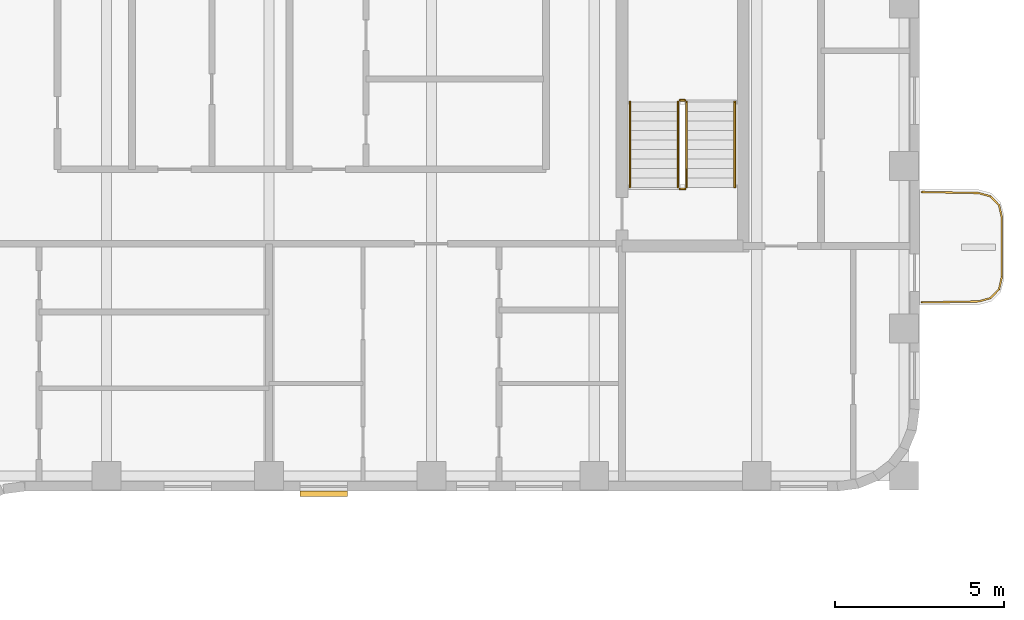
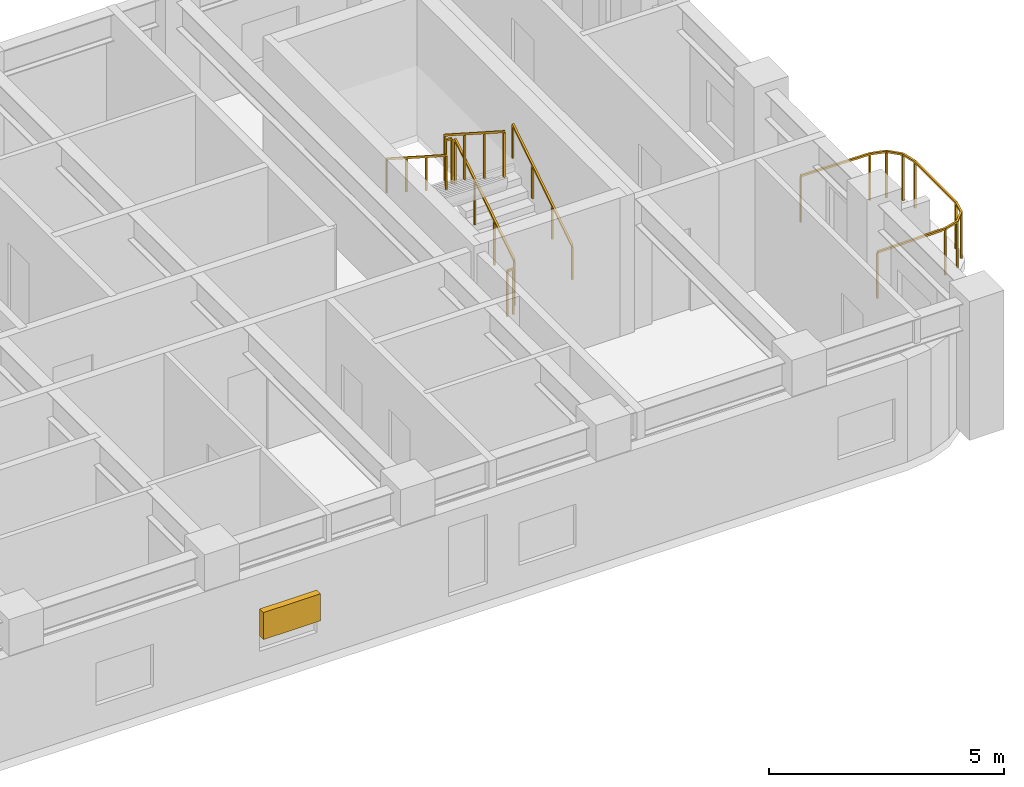
# One storey, part 9 of 10: 7 railings, 1 shading device.
"""IFC4 building model written with IfcOpenShell, lengths in metres."""

from ifc_helpers import new_model, si_unit, direction, frame, origin, origin_2d, place, context, subcontext, project, spatial, rectangle, extrude, material, type_object, element, save


model = new_model("IFC4")

# Units and contexts
model_context = context("Model", 3, precision=1e-05, world=origin(), true_north=direction((0.0, 1.0)))
body_context = subcontext(model_context, "Body", "Model", "MODEL_VIEW")
ifc_project = project(units=[si_unit("LENGTHUNIT", "METRE"), si_unit("AREAUNIT", "SQUARE_METRE"), si_unit("VOLUMEUNIT", "CUBIC_METRE"), si_unit("PLANEANGLEUNIT", "RADIAN"), si_unit("MASSUNIT", "GRAM", prefix="KILO")], contexts=[model_context])

# Site, building, storey
site_placement = place(None, origin())
site = spatial("IfcSite", under=ifc_project, at=site_placement, CompositionType="ELEMENT")
building_placement = place(site_placement, origin())
building = spatial("IfcBuilding", under=site, at=building_placement, Name="Orvandelia Arch Residences", CompositionType="ELEMENT")
storey_placement = place(building_placement, frame((0.0, 0.0, 225.39990234375)))
storey = spatial("IfcBuildingStorey", under=building, at=storey_placement, Name="L59", CompositionType="ELEMENT", Elevation=225.39990234375)

# Railings
ifc_material_1 = material(Name="Marine-Grade Stainless Steel 316", Category="steel")
railing_type_1 = type_object("IfcRailingType", Name="GRD-BAL-1200", PredefinedType="BALUSTRADE", material=ifc_material_1)
railing_1_placement = place(storey_placement, frame((52.871826171875, 34.36962890625, 0.0)))
element("IfcRailing", 1, at=railing_1_placement, inside=storey, type_object=railing_type_1, Name="Safety Balustrade Guard GRD-L59-BAL-L59-E1-1", PredefinedType="BALUSTRADE", context=body_context, shape_type="SweptSolid", body=[
    extrude(rectangle(XDim=0.048095703125, YDim=0.048095703125, at=origin_2d()), frame((0.0, 0.0, 1.19580078125), z_axis=(0.999837384468, 0.018033430643, 0.0), x_axis=(-0.018033430643, 0.999837384468, 0.0)), (0.0, 0.0, 1.0), 1.6787109375),
    extrude(rectangle(XDim=0.048095703125, YDim=0.048095703125, at=origin_2d()), frame((1.678466796875, 0.0302734375, 1.19580078125), z_axis=(0.96348920644, 0.267747173792, 0.0), x_axis=(-0.267747173792, 0.96348920644, 0.0)), (0.0, 0.0, 1.0), 0.36572265625),
    extrude(rectangle(XDim=0.048095703125, YDim=0.048095703125, at=origin_2d()), frame((2.03076171875, 0.128173828125, 1.19580078125), z_axis=(0.687947031175, 0.725760898848, 0.0), x_axis=(-0.725760898848, 0.687947031175, 0.0)), (0.0, 0.0, 1.0), 0.367919921875),
    extrude(rectangle(XDim=0.048095703125, YDim=0.048095703125, at=origin_2d()), frame((2.283935546875, 0.395263671875, 1.19580078125), z_axis=(0.221225034864, 0.975222786828, 0.0), x_axis=(-0.975222786828, 0.221225034864, 0.0)), (0.0, 0.0, 1.0), 0.373046875),
    extrude(rectangle(XDim=0.048095703125, YDim=0.048095703125, at=origin_2d()), frame((2.366455078125, 0.759033203125, 1.19580078125), z_axis=(0.0, 1.0, 0.0), x_axis=(-1.0, 0.0, 0.0)), (0.0, 0.0, 1.0), 1.74267578125),
    extrude(rectangle(XDim=0.048095703125, YDim=0.048095703125, at=origin_2d()), frame((2.366455078125, 2.501708984375, 1.19580078125), z_axis=(-0.221225034864, 0.975222786828, 0.0), x_axis=(-0.975222786828, -0.221225034864, 0.0)), (0.0, 0.0, 1.0), 0.373046875),
    extrude(rectangle(XDim=0.048095703125, YDim=0.048095703125, at=origin_2d()), frame((2.283935546875, 2.865478515625, 1.19580078125), z_axis=(-0.687947031175, 0.725760898848, 0.0), x_axis=(-0.725760898848, -0.687947031175, 0.0)), (0.0, 0.0, 1.0), 0.367919921875),
    extrude(rectangle(XDim=0.048095703125, YDim=0.048095703125, at=origin_2d()), frame((2.03076171875, 3.132568359375, 1.19580078125), z_axis=(-0.96348920644, 0.267747173792, 0.0), x_axis=(-0.267747173792, -0.96348920644, 0.0)), (0.0, 0.0, 1.0), 0.36572265625),
    extrude(rectangle(XDim=0.048095703125, YDim=0.048095703125, at=origin_2d()), frame((1.678466796875, 3.23046875, 1.19580078125), z_axis=(-0.999837384468, 0.018033430643, 0.0), x_axis=(-0.018033430643, -0.999837384468, 0.0)), (0.0, 0.0, 1.0), 1.6787109375),
    extrude(rectangle(XDim=0.0419921875, YDim=0.0419921875, at=origin_2d()), origin(), (0.0, 0.0, 1.0), 1.171875),
    extrude(rectangle(XDim=0.0419921875, YDim=0.0419921875, at=origin_2d()), frame((1.678466796875, 0.0302734375, 0.0)), (0.0, 0.0, 1.0), 1.171875),
    extrude(rectangle(XDim=0.0419921875, YDim=0.0419921875, at=origin_2d()), frame((2.03076171875, 0.128173828125, 0.0)), (0.0, 0.0, 1.0), 1.171875),
    extrude(rectangle(XDim=0.0419921875, YDim=0.0419921875, at=origin_2d()), frame((2.283935546875, 0.395263671875, 0.0)), (0.0, 0.0, 1.0), 1.171875),
    extrude(rectangle(XDim=0.0419921875, YDim=0.0419921875, at=origin_2d()), frame((2.366455078125, 0.759033203125, 0.0)), (0.0, 0.0, 1.0), 1.171875),
    extrude(rectangle(XDim=0.0419921875, YDim=0.0419921875, at=origin_2d()), frame((2.366455078125, 2.501708984375, 0.0)), (0.0, 0.0, 1.0), 1.171875),
    extrude(rectangle(XDim=0.0419921875, YDim=0.0419921875, at=origin_2d()), frame((2.283935546875, 2.865478515625, 0.0)), (0.0, 0.0, 1.0), 1.171875),
    extrude(rectangle(XDim=0.0419921875, YDim=0.0419921875, at=origin_2d()), frame((2.03076171875, 3.132568359375, 0.0)), (0.0, 0.0, 1.0), 1.171875),
    extrude(rectangle(XDim=0.0419921875, YDim=0.0419921875, at=origin_2d()), frame((1.678466796875, 3.23046875, 0.0)), (0.0, 0.0, 1.0), 1.171875),
    extrude(rectangle(XDim=0.0419921875, YDim=0.0419921875, at=origin_2d()), frame((0.0, 3.2607421875, 0.0)), (0.0, 0.0, 1.0), 1.171875),
])
ifc_material_2 = material(Name="Brushed Stainless Steel 304", Category="steel")
railing_type_2 = type_object("IfcRailingType", Name="RL-STAIR-GD1120", PredefinedType="GUARDRAIL", material=ifc_material_2)
railing_2_placement = place(storey_placement, frame((45.929931640625, 37.77001953125, 0.18017578125)))
element("IfcRailing", 2, at=railing_2_placement, inside=storey, type_object=railing_type_2, Name="L59 ST-3 stair guard 1", PredefinedType="GUARDRAIL", context=body_context, shape_type="SweptSolid", body=[
    extrude(rectangle(XDim=0.048095703125, YDim=0.048095703125, at=origin_2d()), frame((0.0, 0.0, 1.17578125), z_axis=(0.0, 0.841199657755, 0.540724639528), x_axis=(-1.0, 0.0, 0.0)), (0.0, 0.0, 1.0), 2.995849609375),
    extrude(rectangle(XDim=0.0419921875, YDim=0.0419921875, at=origin_2d()), origin(), (0.0, 0.0, 1.0), 1.15185546875),
    extrude(rectangle(XDim=0.0419921875, YDim=0.0419921875, at=origin_2d()), frame((0.0, 0.840087890625, 0.5400390625)), (0.0, 0.0, 1.0), 1.15185546875),
    extrude(rectangle(XDim=0.0419921875, YDim=0.0419921875, at=origin_2d()), frame((0.0, 1.679931640625, 1.079833984375)), (0.0, 0.0, 1.0), 1.15185546875),
    extrude(rectangle(XDim=0.0419921875, YDim=0.0419921875, at=origin_2d()), frame((0.0, 2.52001953125, 1.619873046875)), (0.0, 0.0, 1.0), 1.15185546875),
])
railing_3_placement = place(storey_placement, frame((45.8798828125, 40.340087890625, 1.800048828125)))
element("IfcRailing", 3, at=railing_3_placement, inside=storey, type_object=railing_type_2, Name="L59 ST-3 stair guard 2", PredefinedType="GUARDRAIL", context=body_context, shape_type="SweptSolid", body=[
    extrude(rectangle(XDim=0.048095703125, YDim=0.048095703125, at=origin_2d()), frame((0.0, 0.0, 1.17578125), z_axis=(-1.0, 0.0, 0.0), x_axis=(0.0, -1.0, 0.0)), (0.0, 0.0, 1.0), 0.14990234375),
    extrude(rectangle(XDim=0.0419921875, YDim=0.0419921875, at=origin_2d()), origin(), (0.0, 0.0, 1.0), 1.15185546875),
    extrude(rectangle(XDim=0.0419921875, YDim=0.0419921875, at=origin_2d()), frame((-0.14990234375, 0.0, 0.0)), (0.0, 0.0, 1.0), 1.15185546875),
])
railing_4_placement = place(storey_placement, frame((45.679931640625, 40.2900390625, 1.97998046875)))
element("IfcRailing", 4, at=railing_4_placement, inside=storey, type_object=railing_type_2, Name="L59 ST-3 stair guard 3", PredefinedType="GUARDRAIL", context=body_context, shape_type="SweptSolid", body=[
    extrude(rectangle(XDim=0.048095703125, YDim=0.048095703125, at=origin_2d()), frame((0.0, 0.0, 1.17578125), z_axis=(0.0, -0.841162588446, 0.540782303519), x_axis=(1.0, 0.0, 0.0)), (0.0, 0.0, 1.0), 2.995849609375),
    extrude(rectangle(XDim=0.0419921875, YDim=0.0419921875, at=origin_2d()), origin(), (0.0, 0.0, 1.0), 1.15185546875),
    extrude(rectangle(XDim=0.0419921875, YDim=0.0419921875, at=origin_2d()), frame((0.0, -0.840087890625, 0.5400390625)), (0.0, 0.0, 1.0), 1.15185546875),
    extrude(rectangle(XDim=0.0419921875, YDim=0.0419921875, at=origin_2d()), frame((0.0, -1.679931640625, 1.080078125)), (0.0, 0.0, 1.0), 1.15185546875),
    extrude(rectangle(XDim=0.0419921875, YDim=0.0419921875, at=origin_2d()), frame((0.0, -2.52001953125, 1.6201171875)), (0.0, 0.0, 1.0), 1.15185546875),
])
railing_5_placement = place(storey_placement, frame((45.8798828125, 37.719970703125, 0.0)))
element("IfcRailing", 5, at=railing_5_placement, inside=storey, type_object=railing_type_2, Name="L59 ST-3 stair guard 4", PredefinedType="GUARDRAIL", context=body_context, shape_type="SweptSolid", body=[
    extrude(rectangle(XDim=0.048095703125, YDim=0.048095703125, at=origin_2d()), frame((0.0, 0.0, 1.17578125), z_axis=(-1.0, 0.0, 0.0), x_axis=(0.0, -1.0, 0.0)), (0.0, 0.0, 1.0), 0.14990234375),
    extrude(rectangle(XDim=0.0419921875, YDim=0.0419921875, at=origin_2d()), origin(), (0.0, 0.0, 1.0), 1.15185546875),
    extrude(rectangle(XDim=0.0419921875, YDim=0.0419921875, at=origin_2d()), frame((-0.14990234375, 0.0, 0.0)), (0.0, 0.0, 1.0), 1.15185546875),
])
railing_type_3 = type_object("IfcRailingType", Name="RL-STAIR-HR920", PredefinedType="HANDRAIL", material=ifc_material_2)
railing_6_placement = place(storey_placement, frame((47.35009765625, 37.77001953125, 0.360107421875)))
element("IfcRailing", 6, at=railing_6_placement, inside=storey, type_object=railing_type_3, Name="L59 ST-3 stair handrail 1", PredefinedType="HANDRAIL", context=body_context, shape_type="SweptSolid", body=[
    extrude(rectangle(XDim=0.048095703125, YDim=0.048095703125, at=origin_2d()), frame((0.0, 0.0, 0.8759765625), z_axis=(0.0, 0.841199657755, 0.540724639528), x_axis=(-1.0, 0.0, 0.0)), (0.0, 0.0, 1.0), 2.995849609375),
    extrude(rectangle(XDim=0.0419921875, YDim=0.0419921875, at=origin_2d()), origin(), (0.0, 0.0, 1.0), 0.851806640625),
    extrude(rectangle(XDim=0.0419921875, YDim=0.0419921875, at=origin_2d()), frame((0.0, 0.840087890625, 0.5400390625)), (0.0, 0.0, 1.0), 0.851806640625),
    extrude(rectangle(XDim=0.0419921875, YDim=0.0419921875, at=origin_2d()), frame((0.0, 1.679931640625, 1.079833984375)), (0.0, 0.0, 1.0), 0.851806640625),
    extrude(rectangle(XDim=0.0419921875, YDim=0.0419921875, at=origin_2d()), frame((0.0, 2.52001953125, 1.619873046875)), (0.0, 0.0, 1.0), 0.851806640625),
])
railing_7_placement = place(storey_placement, frame((44.260009765625, 40.2900390625, 2.16015625)))
element("IfcRailing", 7, at=railing_7_placement, inside=storey, type_object=railing_type_3, Name="L59 ST-3 stair handrail 2", PredefinedType="HANDRAIL", context=body_context, shape_type="SweptSolid", body=[
    extrude(rectangle(XDim=0.048095703125, YDim=0.048095703125, at=origin_2d()), frame((0.0, 0.0, 0.8759765625), z_axis=(0.0, -0.841199657755, 0.540724639528), x_axis=(1.0, 0.0, 0.0)), (0.0, 0.0, 1.0), 2.995849609375),
    extrude(rectangle(XDim=0.0419921875, YDim=0.0419921875, at=origin_2d()), origin(), (0.0, 0.0, 1.0), 0.851806640625),
    extrude(rectangle(XDim=0.0419921875, YDim=0.0419921875, at=origin_2d()), frame((0.0, -0.840087890625, 0.5400390625)), (0.0, 0.0, 1.0), 0.851806640625),
    extrude(rectangle(XDim=0.0419921875, YDim=0.0419921875, at=origin_2d()), frame((0.0, -1.679931640625, 1.079833984375)), (0.0, 0.0, 1.0), 0.851806640625),
    extrude(rectangle(XDim=0.0419921875, YDim=0.0419921875, at=origin_2d()), frame((0.0, -2.52001953125, 1.619873046875)), (0.0, 0.0, 1.0), 0.851806640625),
])

# Shading device
ifc_material_3 = material(Name="Anodised Champagne-Bronze Extruded Aluminium", Category="aluminium")
shading_device_type = type_object("IfcShadingDeviceType", Name="SHD-JALOUSIE-SCREEN", PredefinedType="JALOUSIE", material=ifc_material_3)
shading_device_placement = place(storey_placement, frame((35.2099609375, 28.719970703125, 1.05029296875), z_axis=(0.0, 0.0, 1.0), x_axis=(-1.0, 0.0, 0.0)))
element("IfcShadingDevice", 8, at=shading_device_placement, inside=storey, type_object=shading_device_type, Name="Bronze Jalousie Sun-Shade L59-005", PredefinedType="JALOUSIE", context=body_context, shape_type="SweptSolid", body=[
    extrude(rectangle(XDim=1.39990234375, YDim=0.159912109375, at=origin_2d()), origin(), (0.0, 0.0, 1.0), 0.699951171875),
])

save(model, "model.ifc")
